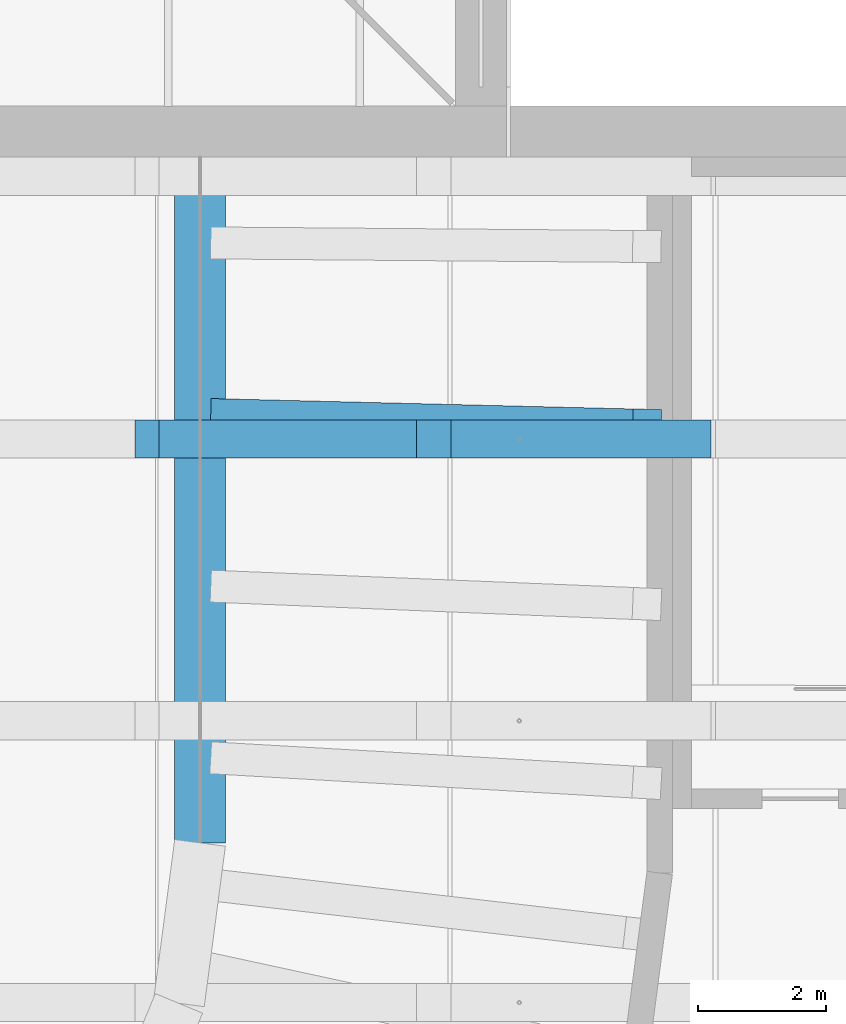
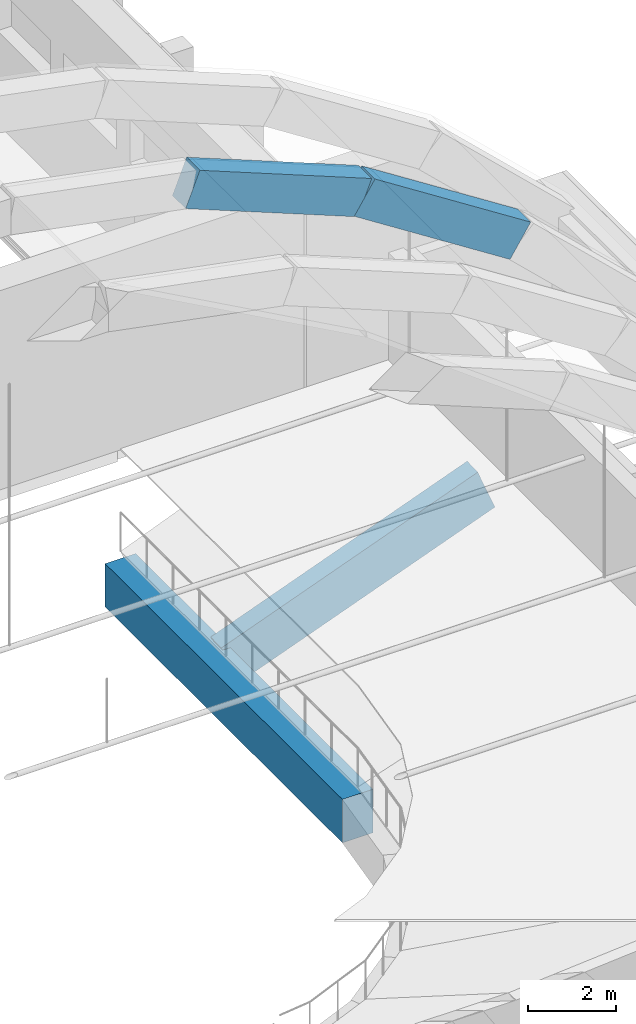
# One storey, part 44 of 94: 4 beams.
"""IFC4 building model written with IfcOpenShell, lengths in metres."""

from ifc_helpers import new_model, si_unit, direction, frame, origin, origin_2d, place, context, subcontext, project, spatial, rectangle, extrude, material, material_profile, profile_set, type_object, element, save


model = new_model("IFC4")

# Units and contexts
model_context = context("Model", 3, precision=1e-05, world=origin(), true_north=direction((0.0, 1.0)))
body_context = subcontext(model_context, "Body", "Model", "MODEL_VIEW")
ifc_project = project(units=[si_unit("LENGTHUNIT", "METRE"), si_unit("AREAUNIT", "SQUARE_METRE"), si_unit("VOLUMEUNIT", "CUBIC_METRE"), si_unit("PLANEANGLEUNIT", "RADIAN"), si_unit("MASSUNIT", "GRAM", prefix="KILO")], contexts=[model_context])

# Site, building, storey
site_placement = place(None, origin())
site = spatial("IfcSite", under=ifc_project, at=site_placement, CompositionType="ELEMENT")
building_placement = place(site_placement, origin())
building = spatial("IfcBuilding", under=site, at=building_placement, Name="Lunette Opera House", CompositionType="ELEMENT")
storey_placement = place(building_placement, frame((0.0, 0.0, 22.5)))
storey = spatial("IfcBuildingStorey", under=building, at=storey_placement, Name="L04", CompositionType="ELEMENT", Elevation=22.5)

# Beams
ifc_material_1 = material(Name="Concrete C40/50", Category="concrete")
ifc_material_profile_1 = material_profile(ifc_material_1, rectangle(XDim=0.60009765625, YDim=1.0, at=origin_2d()), Name="ARCH BEAM 600X1000")
ifc_profile_set_1 = profile_set([ifc_material_profile_1], Name="Concrete C40/50")
beam_type_1 = type_object("IfcBeamType", Name="ARCH BEAM 600X1000", PredefinedType="BEAM", material=ifc_profile_set_1)
beam_1_placement = place(storey_placement, frame((103.1689453125, 90.785888671875, 10.346923828125), z_axis=(0.92830257193, 0.0, -0.371825678172), x_axis=(0.0, 1.0, 0.0)))
element("IfcBeam", 1, at=beam_1_placement, inside=storey, type_object=beam_type_1, Name="beam-AU-L04-EA7-7", PredefinedType="BEAM", context=body_context, shape_type="SweptSolid", body=[
    extrude(rectangle(XDim=0.60009765625, YDim=1.0, at=origin_2d()), origin(), (0.0, 0.0, 1.0), 4.837890625),
])
beam_2_placement = place(storey_placement, frame((107.659912109375, 90.785888671875, 8.548095703125), z_axis=(0.84120306647, 0.0, -0.54071933659), x_axis=(0.0, 1.0, 0.0)))
element("IfcBeam", 2, at=beam_2_placement, inside=storey, type_object=beam_type_1, Name="beam-AU-L04-EA7-8", PredefinedType="BEAM", context=body_context, shape_type="SweptSolid", body=[
    extrude(rectangle(XDim=0.60009765625, YDim=1.0, at=origin_2d()), origin(), (0.0, 0.0, 1.0), 4.83837890625),
])
ifc_material_2 = material(Name="Concrete C35/45", Category="concrete")
ifc_material_profile_2 = material_profile(ifc_material_2, rectangle(XDim=0.5, YDim=1.199951171875, at=origin_2d()), Name="RAKER BEAM 500X1200")
ifc_profile_set_2 = profile_set([ifc_material_profile_2], Name="Concrete C35/45")
beam_type_2 = type_object("IfcBeamType", Name="RAKER BEAM 500X1200", PredefinedType="BEAM", material=ifc_profile_set_2)
beam_3_placement = place(storey_placement, frame((111.0, 91.0, -0.845947265625), z_axis=(-0.928233174532, 0.022901560871, -0.371293269813), x_axis=(-0.024664701054, -0.999695779986, 0.0)))
element("IfcBeam", 3, at=beam_3_placement, inside=storey, type_object=beam_type_2, Name="beam-AU-L04-RKT3-14-3", PredefinedType="BEAM", context=body_context, shape_type="SweptSolid", body=[
    extrude(rectangle(XDim=0.5, YDim=1.199951171875, at=origin_2d()), origin(), (0.0, 0.0, 1.0), 7.12109375),
])
ifc_material_3 = material(Name="Concrete C40/50", Category="concrete")
ifc_material_profile_3 = material_profile(ifc_material_3, rectangle(XDim=0.800048828125, YDim=1.199951171875, at=origin_2d()), Name="TIER GIRDER 800X1200")
ifc_profile_set_3 = profile_set([ifc_material_profile_3], Name="Concrete C40/50")
beam_type_3 = type_object("IfcBeamType", Name="TIER GIRDER 800X1200", PredefinedType="BEAM", material=ifc_profile_set_3)
beam_4_placement = place(storey_placement, frame((104.0, 84.458984375, -3.60009765625), z_axis=(0.0, 1.0, 0.0), x_axis=(-1.0, 0.0, 0.0)))
element("IfcBeam", 4, at=beam_4_placement, inside=storey, type_object=beam_type_3, Name="beam-AU-L04-TGL04-14", PredefinedType="BEAM", context=body_context, shape_type="SweptSolid", body=[
    extrude(rectangle(XDim=0.800048828125, YDim=1.199951171875, at=origin_2d()), origin(), (0.0, 0.0, 1.0), 10.740966796875),
])

save(model, "model.ifc")
